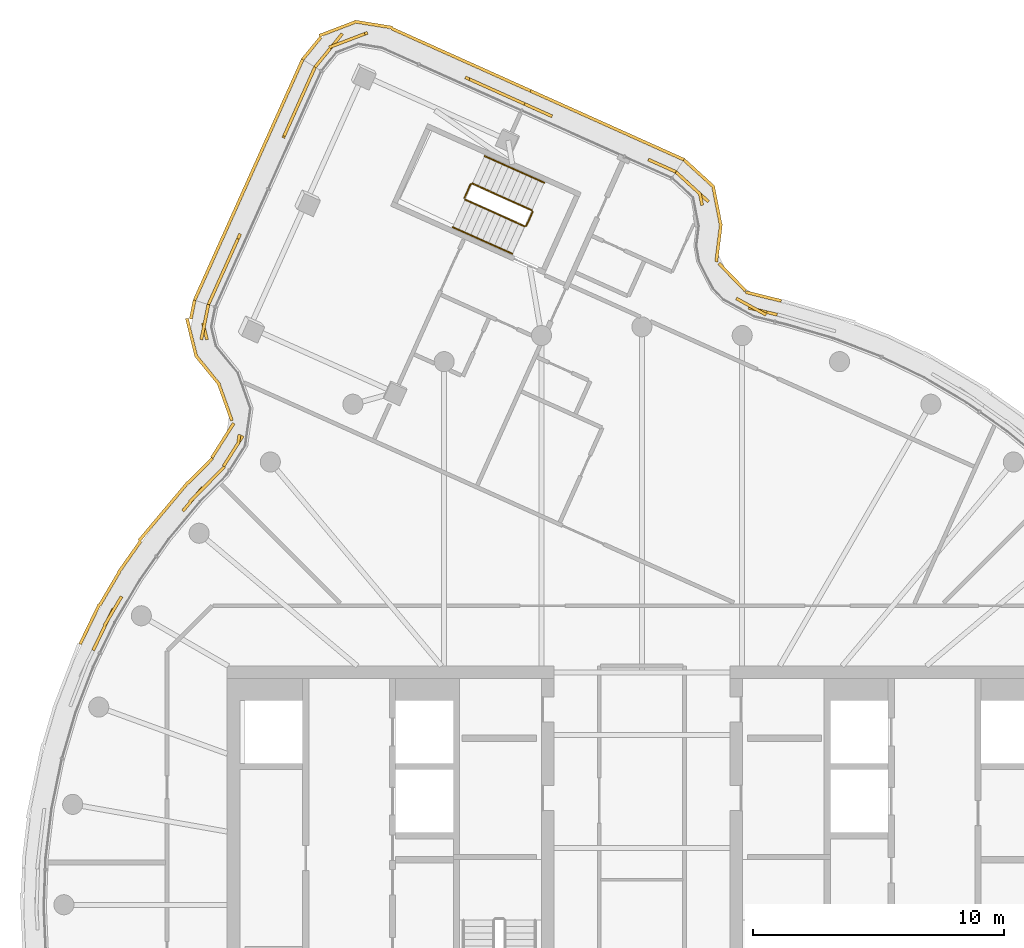
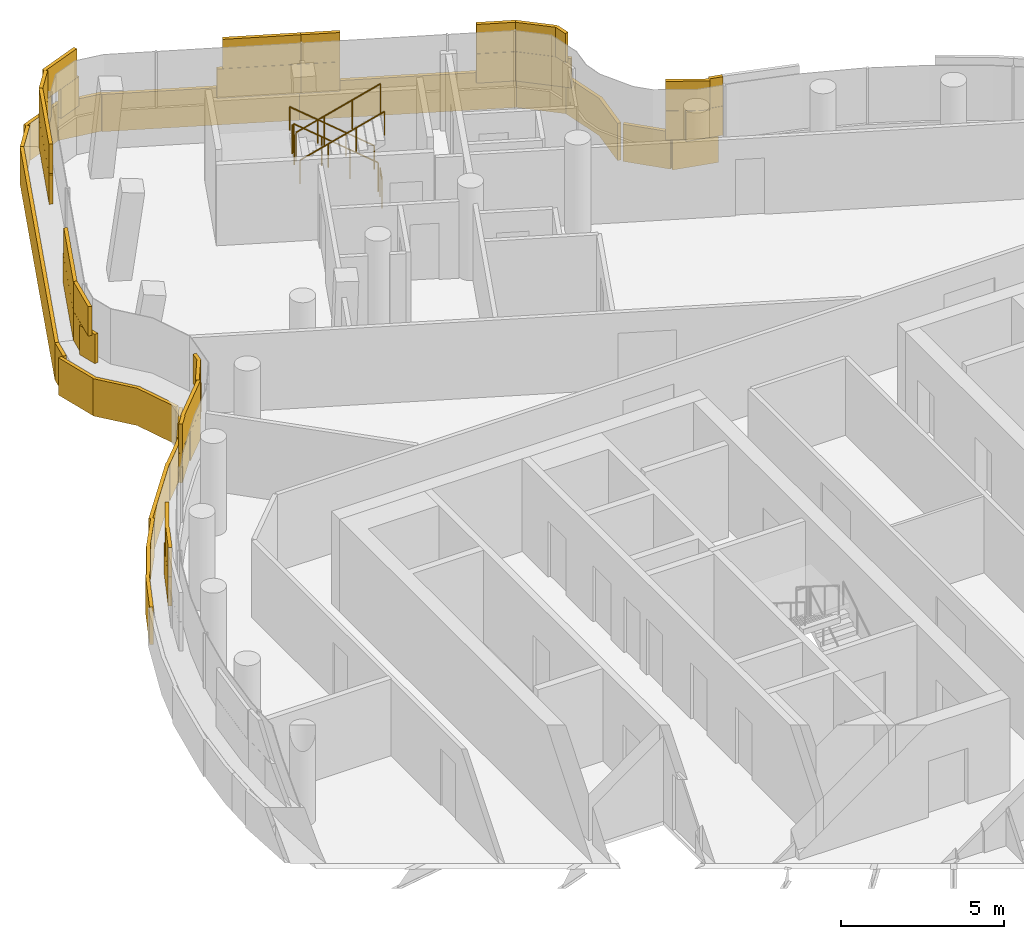
# One storey, part 19 of 21: 6 coverings, 6 railings.
"""IFC4 building model written with IfcOpenShell, lengths in metres."""

from ifc_helpers import new_model, si_unit, direction, frame, origin, origin_2d, place, context, subcontext, project, spatial, rectangle, circle, extrude, material, layer, layer_set, type_object, element, save


model = new_model("IFC4")

# Units and contexts
model_context = context("Model", 3, precision=1e-05, world=origin(), true_north=direction((0.0, 1.0)))
body_context = subcontext(model_context, "Body", "Model", "MODEL_VIEW")
ifc_project = project(units=[si_unit("LENGTHUNIT", "METRE"), si_unit("AREAUNIT", "SQUARE_METRE"), si_unit("VOLUMEUNIT", "CUBIC_METRE"), si_unit("PLANEANGLEUNIT", "RADIAN"), si_unit("MASSUNIT", "GRAM", prefix="KILO")], contexts=[model_context])

# Site, building, storey
site_placement = place(None, origin())
site = spatial("IfcSite", under=ifc_project, at=site_placement, CompositionType="ELEMENT")
building_placement = place(site_placement, origin())
building = spatial("IfcBuilding", under=site, at=building_placement, Name="Tamarind Cross Interchange Tower", CompositionType="ELEMENT")
storey_placement = place(building_placement, frame((0.0, 0.0, 271.199951171875)))
storey = spatial("IfcBuildingStorey", under=building, at=storey_placement, Name="L69", CompositionType="ELEMENT", Elevation=271.199951171875)

# Railings
ifc_material_1 = material(Name="Stair guard")
railing_type_1 = type_object("IfcRailingType", Name="Stair guard", PredefinedType="GUARDRAIL", material=ifc_material_1)
railing_1_placement = place(storey_placement, frame((-4.375244140625, 27.636474609375, 0.16357421875)))
element("IfcRailing", 1, at=railing_1_placement, inside=storey, type_object=railing_type_1, Name="L69 ST4 stair guard 1", PredefinedType="GUARDRAIL", context=body_context, shape_type="SweptSolid", body=[
    extrude(circle(Radius=0.02392578125, at=origin_2d()), frame((0.0, 0.0, 1.076171875), z_axis=(-0.772110731166, 0.346559787836, 0.532673757823), x_axis=(-0.409489927678, -0.912314638231, 0.0)), (0.0, 0.0, 1.0), 3.072265625),
    extrude(circle(Radius=0.02099609375, at=origin_2d()), origin(), (0.0, 0.0, 1.0), 1.052001953125),
    extrude(circle(Radius=0.02099609375, at=origin_2d()), frame((-0.790771484375, 0.35498046875, 0.54541015625)), (0.0, 0.0, 1.0), 1.052001953125),
    extrude(circle(Radius=0.02099609375, at=origin_2d()), frame((-1.581298828125, 0.709716796875, 1.091064453125)), (0.0, 0.0, 1.0), 1.052001953125),
    extrude(circle(Radius=0.02099609375, at=origin_2d()), frame((-2.3720703125, 1.064697265625, 1.636474609375)), (0.0, 0.0, 1.0), 1.052001953125),
])
railing_2_placement = place(storey_placement, frame((-6.813232421875, 28.676025390625, 1.800048828125)))
element("IfcRailing", 2, at=railing_2_placement, inside=storey, type_object=railing_type_1, Name="L69 ST4 stair guard 2", PredefinedType="GUARDRAIL", context=body_context, shape_type="SweptSolid", body=[
    extrude(circle(Radius=0.02392578125, at=origin_2d()), frame((0.0, 0.0, 1.076171875), z_axis=(-0.409721698178, -0.912210573301, 0.0), x_axis=(0.912210573301, -0.409721698178, 0.0)), (0.0, 0.0, 1.0), 0.60009765625),
    extrude(circle(Radius=0.02099609375, at=origin_2d()), origin(), (0.0, 0.0, 1.0), 1.052001953125),
    extrude(circle(Radius=0.02099609375, at=origin_2d()), frame((-0.245849609375, -0.54736328125, 0.0)), (0.0, 0.0, 1.0), 1.052001953125),
])
railing_3_placement = place(storey_placement, frame((-7.033935546875, 28.062744140625, 1.963623046875)))
element("IfcRailing", 3, at=railing_3_placement, inside=storey, type_object=railing_type_1, Name="L69 ST4 stair guard 3", PredefinedType="GUARDRAIL", context=body_context, shape_type="SweptSolid", body=[
    extrude(circle(Radius=0.02392578125, at=origin_2d()), frame((0.0, 0.0, 1.076171875), z_axis=(0.772057367947, -0.346650976736, 0.532691769156), x_axis=(0.409603161831, 0.912263804948, 0.0)), (0.0, 0.0, 1.0), 3.072021484375),
    extrude(circle(Radius=0.02099609375, at=origin_2d()), origin(), (0.0, 0.0, 1.0), 1.052001953125),
    extrude(circle(Radius=0.02099609375, at=origin_2d()), frame((0.79052734375, -0.35498046875, 0.54541015625)), (0.0, 0.0, 1.0), 1.052001953125),
    extrude(circle(Radius=0.02099609375, at=origin_2d()), frame((1.581298828125, -0.7099609375, 1.091064453125)), (0.0, 0.0, 1.0), 1.052001953125),
    extrude(circle(Radius=0.02099609375, at=origin_2d()), frame((2.371826171875, -1.06494140625, 1.636474609375)), (0.0, 0.0, 1.0), 1.052001953125),
])
railing_4_placement = place(storey_placement, frame((-4.35009765625, 27.5703125, 0.0)))
element("IfcRailing", 4, at=railing_4_placement, inside=storey, type_object=railing_type_1, Name="L69 ST4 stair guard 4", PredefinedType="GUARDRAIL", context=body_context, shape_type="SweptSolid", body=[
    extrude(circle(Radius=0.02392578125, at=origin_2d()), frame((0.0, 0.0, 1.076171875), z_axis=(-0.409721698178, -0.912210573301, 0.0), x_axis=(0.912210573301, -0.409721698178, 0.0)), (0.0, 0.0, 1.0), 0.60009765625),
    extrude(circle(Radius=0.02099609375, at=origin_2d()), origin(), (0.0, 0.0, 1.0), 1.052001953125),
    extrude(circle(Radius=0.02099609375, at=origin_2d()), frame((-0.245849609375, -0.54736328125, 0.0)), (0.0, 0.0, 1.0), 1.052001953125),
])
ifc_material_2 = material(Name="Stair handrail")
railing_type_2 = type_object("IfcRailingType", Name="Stair handrail", PredefinedType="HANDRAIL", material=ifc_material_2)
railing_5_placement = place(storey_placement, frame((-3.8837890625, 28.731201171875, 0.16357421875)))
element("IfcRailing", 5, at=railing_5_placement, inside=storey, type_object=railing_type_2, Name="L69 ST4 stair handrail 1", PredefinedType="HANDRAIL", context=body_context, shape_type="SweptSolid", body=[
    extrude(circle(Radius=0.02392578125, at=origin_2d()), frame((0.0, 0.0, 0.8759765625), z_axis=(-0.772110731166, 0.346559787836, 0.532673757823), x_axis=(-0.409489927678, -0.912314638231, 0.0)), (0.0, 0.0, 1.0), 3.072265625),
    extrude(circle(Radius=0.02099609375, at=origin_2d()), origin(), (0.0, 0.0, 1.0), 0.851806640625),
    extrude(circle(Radius=0.02099609375, at=origin_2d()), frame((-0.790771484375, 0.35498046875, 0.54541015625)), (0.0, 0.0, 1.0), 0.851806640625),
    extrude(circle(Radius=0.02099609375, at=origin_2d()), frame((-1.581298828125, 0.709716796875, 1.091064453125)), (0.0, 0.0, 1.0), 0.851806640625),
    extrude(circle(Radius=0.02099609375, at=origin_2d()), frame((-2.3720703125, 1.064697265625, 1.636474609375)), (0.0, 0.0, 1.0), 0.851806640625),
])
railing_6_placement = place(storey_placement, frame((-7.525390625, 26.968017578125, 1.963623046875)))
element("IfcRailing", 6, at=railing_6_placement, inside=storey, type_object=railing_type_2, Name="L69 ST4 stair handrail 2", PredefinedType="HANDRAIL", context=body_context, shape_type="SweptSolid", body=[
    extrude(circle(Radius=0.02392578125, at=origin_2d()), frame((0.0, 0.0, 0.8759765625), z_axis=(0.772057367947, -0.346650976736, 0.532691769156), x_axis=(0.409603161831, 0.912263804948, 0.0)), (0.0, 0.0, 1.0), 3.072021484375),
    extrude(circle(Radius=0.02099609375, at=origin_2d()), origin(), (0.0, 0.0, 1.0), 0.851806640625),
    extrude(circle(Radius=0.02099609375, at=origin_2d()), frame((0.79052734375, -0.35498046875, 0.54541015625)), (0.0, 0.0, 1.0), 0.851806640625),
    extrude(circle(Radius=0.02099609375, at=origin_2d()), frame((1.581298828125, -0.7099609375, 1.091064453125)), (0.0, 0.0, 1.0), 0.851806640625),
    extrude(circle(Radius=0.02099609375, at=origin_2d()), frame((2.371826171875, -1.06494140625, 1.636474609375)), (0.0, 0.0, 1.0), 0.851806640625),
])

# Coverings
ifc_material_3 = material(Name="Terracotta", Category="masonry")
ifc_layer = layer(ifc_material_3, 0.1201171875)
ifc_layer_set = layer_set([ifc_layer], Name="Terracotta")
covering_type = type_object("IfcCoveringType", Name="Terracotta baguette screen unit", PredefinedType="MOLDING", material=ifc_layer_set)
covering_1_placement = place(storey_placement, origin())
element("IfcCovering", 7, at=covering_1_placement, inside=storey, type_object=covering_type, Name="SCR-L69-00-00", PredefinedType="MOLDING", context=body_context, shape_type="SweptSolid", body=[
    extrude(rectangle(XDim=0.760009765625, YDim=0.1201171875, at=origin_2d()), frame((-13.159912109375, 32.99072265625, 1.40380859375), z_axis=(0.0, 0.0, 1.0), x_axis=(-0.409566405741, -0.91228030741, 0.0)), (0.0, 0.0, 1.0), 1.092041015625),
    extrude(rectangle(XDim=1.52001953125, YDim=0.1201171875, at=origin_2d()), frame((-13.62060546875, 31.964599609375, 1.40380859375), z_axis=(0.0, 0.0, 1.0), x_axis=(-0.409566405741, -0.91228030741, 0.0)), (0.0, 0.0, 1.0), 1.092041015625),
    extrude(rectangle(XDim=0.839111328125, YDim=0.1201171875, at=origin_2d()), frame((-14.09765625, 30.902099609375, 1.40380859375), z_axis=(0.0, 0.0, 1.0), x_axis=(-0.409566405741, -0.91228030741, 0.0)), (0.0, 0.0, 1.0), 1.092041015625),
    extrude(rectangle(XDim=0.980712890625, YDim=0.1201171875, at=origin_2d()), frame((-16.1865234375, 26.24951171875, 1.40380859375), z_axis=(0.0, 0.0, 1.0), x_axis=(-0.409566405741, -0.91228030741, 0.0)), (0.0, 0.0, 1.0), 1.092041015625),
    extrude(rectangle(XDim=1.52001953125, YDim=0.1201171875, at=origin_2d()), frame((-16.6923828125, 25.122314453125, 1.40380859375), z_axis=(0.0, 0.0, 1.0), x_axis=(-0.409566405741, -0.91228030741, 0.0)), (0.0, 0.0, 1.0), 1.092041015625),
    extrude(rectangle(XDim=0.618408203125, YDim=0.1201171875, at=origin_2d()), frame((-17.124267578125, 24.16064453125, 1.40380859375), z_axis=(0.0, 0.0, 1.0), x_axis=(-0.409566405741, -0.91228030741, 0.0)), (0.0, 0.0, 1.0), 1.092041015625),
    extrude(rectangle(XDim=1.510009765625, YDim=0.1201171875, at=origin_2d()), frame((-13.3134765625, 32.648681640625, 2.50390625), z_axis=(0.0, 0.0, 1.0), x_axis=(-0.409566405741, -0.91228030741, 0.0)), (0.0, 0.0, 1.0), 1.092041015625),
    extrude(rectangle(XDim=1.52001953125, YDim=0.1201171875, at=origin_2d()), frame((-13.927978515625, 31.2802734375, 2.50390625), z_axis=(0.0, 0.0, 1.0), x_axis=(-0.409566405741, -0.91228030741, 0.0)), (0.0, 0.0, 1.0), 1.092041015625),
    extrude(rectangle(XDim=1.52001953125, YDim=0.1201171875, at=origin_2d()), frame((-16.38525390625, 25.806640625, 2.50390625), z_axis=(0.0, 0.0, 1.0), x_axis=(-0.409566405741, -0.91228030741, 0.0)), (0.0, 0.0, 1.0), 1.092041015625),
    extrude(rectangle(XDim=1.368408203125, YDim=0.1201171875, at=origin_2d()), frame((-16.970703125, 24.5029296875, 2.50390625), z_axis=(0.0, 0.0, 1.0), x_axis=(-0.409566405741, -0.91228030741, 0.0)), (0.0, 0.0, 1.0), 1.092041015625),
    extrude(rectangle(XDim=0.760009765625, YDim=0.1201171875, at=origin_2d()), frame((-13.65478515625, 33.290283203125, 0.00390625), z_axis=(0.0, 0.0, 1.0), x_axis=(-0.409566405741, -0.91228030741, 0.0)), (0.0, 0.0, 1.0), 1.39208984375),
    extrude(rectangle(XDim=1.52001953125, YDim=0.1201171875, at=origin_2d()), frame((-14.11328125, 32.2685546875, 0.00390625), z_axis=(0.0, 0.0, 1.0), x_axis=(-0.409566405741, -0.91228030741, 0.0)), (0.0, 0.0, 1.0), 1.39208984375),
    extrude(rectangle(XDim=1.52001953125, YDim=0.1201171875, at=origin_2d()), frame((-14.727783203125, 30.900146484375, 0.00390625), z_axis=(0.0, 0.0, 1.0), x_axis=(-0.409566405741, -0.91228030741, 0.0)), (0.0, 0.0, 1.0), 1.39208984375),
    extrude(rectangle(XDim=1.52001953125, YDim=0.1201171875, at=origin_2d()), frame((-15.342041015625, 29.53173828125, 0.00390625), z_axis=(0.0, 0.0, 1.0), x_axis=(-0.409566405741, -0.91228030741, 0.0)), (0.0, 0.0, 1.0), 1.39208984375),
    extrude(rectangle(XDim=1.52001953125, YDim=0.1201171875, at=origin_2d()), frame((-15.95654296875, 28.163330078125, 0.00390625), z_axis=(0.0, 0.0, 1.0), x_axis=(-0.409566405741, -0.91228030741, 0.0)), (0.0, 0.0, 1.0), 1.39208984375),
    extrude(rectangle(XDim=1.52001953125, YDim=0.1201171875, at=origin_2d()), frame((-16.57080078125, 26.794921875, 0.00390625), z_axis=(0.0, 0.0, 1.0), x_axis=(-0.409566405741, -0.91228030741, 0.0)), (0.0, 0.0, 1.0), 1.39208984375),
    extrude(rectangle(XDim=1.52001953125, YDim=0.1201171875, at=origin_2d()), frame((-17.18505859375, 25.426513671875, 0.00390625), z_axis=(0.0, 0.0, 1.0), x_axis=(-0.409566405741, -0.91228030741, 0.0)), (0.0, 0.0, 1.0), 1.39208984375),
    extrude(rectangle(XDim=0.7578125, YDim=0.1201171875, at=origin_2d()), frame((-17.643310546875, 24.40576171875, 0.00390625), z_axis=(0.0, 0.0, 1.0), x_axis=(-0.409566405741, -0.91228030741, 0.0)), (0.0, 0.0, 1.0), 1.39208984375),
])
covering_2_placement = place(storey_placement, origin())
element("IfcCovering", 8, at=covering_2_placement, inside=storey, type_object=covering_type, Name="SCR-L69-01-00", PredefinedType="MOLDING", context=body_context, shape_type="SweptSolid", body=[
    extrude(rectangle(XDim=0.760009765625, YDim=0.1201171875, at=origin_2d()), frame((-17.323486328125, 23.515625, 1.40380859375), z_axis=(0.0, 0.0, 1.0), x_axis=(-0.199135329193, -0.97997199994, 0.0)), (0.0, 0.0, 1.0), 1.092041015625),
    extrude(rectangle(XDim=0.6845703125, YDim=0.1201171875, at=origin_2d()), frame((-17.386962890625, 22.8193359375, 1.40380859375), z_axis=(0.0, 0.0, 1.0), x_axis=(0.240160273097, -0.970733250294, 0.0)), (0.0, 0.0, 1.0), 1.092041015625),
    extrude(rectangle(XDim=1.135498046875, YDim=0.1201171875, at=origin_2d()), frame((-16.183349609375, 18.181396484375, 1.40380859375), z_axis=(0.0, 0.0, 1.0), x_axis=(-0.536024064233, -0.844202702296, 0.0)), (0.0, 0.0, 1.0), 1.092041015625),
    extrude(rectangle(XDim=0.30908203125, YDim=0.1201171875, at=origin_2d()), frame((-16.565185546875, 17.580078125, 1.40380859375), z_axis=(0.0, 0.0, 1.0), x_axis=(-0.536024064233, -0.844202702296, 0.0)), (0.0, 0.0, 1.0), 1.092041015625),
    extrude(rectangle(XDim=1.424560546875, YDim=0.1201171875, at=origin_2d()), frame((-17.390625, 23.185302734375, 2.50390625), z_axis=(0.0, 0.0, 1.0), x_axis=(-0.199135329193, -0.97997199994, 0.0)), (0.0, 0.0, 1.0), 1.092041015625),
    extrude(rectangle(XDim=0.385498046875, YDim=0.1201171875, at=origin_2d()), frame((-16.04150390625, 18.519775390625, 2.50390625), z_axis=(0.0, 0.0, 1.0), x_axis=(-0.139624856595, -0.990204473541, 0.0)), (0.0, 0.0, 1.0), 1.092041015625),
    extrude(rectangle(XDim=1.05908203125, YDim=0.1201171875, at=origin_2d()), frame((-16.3642578125, 17.896728515625, 2.50390625), z_axis=(0.0, 0.0, 1.0), x_axis=(-0.536024064233, -0.844202702296, 0.0)), (0.0, 0.0, 1.0), 1.092041015625),
    extrude(rectangle(XDim=0.760009765625, YDim=0.1201171875, at=origin_2d()), frame((-17.874267578125, 23.687744140625, 0.00390625), z_axis=(0.0, 0.0, 1.0), x_axis=(-0.199135329193, -0.97997199994, 0.0)), (0.0, 0.0, 1.0), 1.39208984375),
    extrude(rectangle(XDim=1.52001953125, YDim=0.1201171875, at=origin_2d()), frame((-17.922607421875, 22.59375, 0.00390625), z_axis=(0.0, 0.0, 1.0), x_axis=(0.240160273097, -0.970733250294, 0.0)), (0.0, 0.0, 1.0), 1.39208984375),
    extrude(rectangle(XDim=1.52001953125, YDim=0.1201171875, at=origin_2d()), frame((-17.2802734375, 21.278564453125, 0.00390625), z_axis=(0.0, 0.0, 1.0), x_axis=(0.631568032901, -0.775320462659, 0.0)), (0.0, 0.0, 1.0), 1.39208984375),
    extrude(rectangle(XDim=1.52001953125, YDim=0.1201171875, at=origin_2d()), frame((-16.570068359375, 19.981689453125, 0.00390625), z_axis=(0.0, 0.0, 1.0), x_axis=(0.336757746414, -0.941591323362, 0.0)), (0.0, 0.0, 1.0), 1.39208984375),
    extrude(rectangle(XDim=1.52001953125, YDim=0.1201171875, at=origin_2d()), frame((-16.647216796875, 18.521728515625, 0.00390625), z_axis=(0.0, 0.0, 1.0), x_axis=(-0.536024064233, -0.844202702296, 0.0)), (0.0, 0.0, 1.0), 1.39208984375),
    extrude(rectangle(XDim=0.126953125, YDim=0.1201171875, at=origin_2d()), frame((-17.077880859375, 17.843505859375, 0.00390625), z_axis=(0.0, 0.0, 1.0), x_axis=(-0.536024064233, -0.844202702296, 0.0)), (0.0, 0.0, 1.0), 1.39208984375),
])
covering_3_placement = place(storey_placement, origin())
element("IfcCovering", 9, at=covering_3_placement, inside=storey, type_object=covering_type, Name="SCR-L69-01-01", PredefinedType="MOLDING", context=body_context, shape_type="SweptSolid", body=[
    extrude(rectangle(XDim=1.2109375, YDim=0.1201171875, at=origin_2d()), frame((-17.03515625, 17.0009765625, 1.40380859375), z_axis=(0.0, 0.0, 1.0), x_axis=(-0.703036494784, -0.711153771699, 0.0)), (0.0, 0.0, 1.0), 1.092041015625),
    extrude(rectangle(XDim=1.221435546875, YDim=0.1201171875, at=origin_2d()), frame((-17.875244140625, 16.135986328125, 1.40380859375), z_axis=(0.0, 0.0, 1.0), x_axis=(-0.643009266048, -0.765858396687, 0.0)), (0.0, 0.0, 1.0), 1.092041015625),
    extrude(rectangle(XDim=0.5986328125, YDim=0.1201171875, at=origin_2d()), frame((-20.855712890625, 12.010498046875, 1.40380859375), z_axis=(0.0, 0.0, 1.0), x_axis=(-0.508183308752, -0.861248933065, 0.0)), (0.0, 0.0, 1.0), 1.092041015625),
    extrude(rectangle(XDim=1.52001953125, YDim=0.1201171875, at=origin_2d()), frame((-21.3642578125, 11.09912109375, 1.40380859375), z_axis=(0.0, 0.0, 1.0), x_axis=(-0.435326231914, -0.900272776334, 0.0)), (0.0, 0.0, 1.0), 1.092041015625),
    extrude(rectangle(XDim=0.333740234375, YDim=0.1201171875, at=origin_2d()), frame((-21.76123046875, 10.2783203125, 1.40380859375), z_axis=(0.0, 0.0, 1.0), x_axis=(-0.435326231914, -0.900272776334, 0.0)), (0.0, 0.0, 1.0), 1.092041015625),
    extrude(rectangle(XDim=0.4609375, YDim=0.1201171875, at=origin_2d()), frame((-16.771484375, 17.267578125, 2.50390625), z_axis=(0.0, 0.0, 1.0), x_axis=(-0.703036494784, -0.711153771699, 0.0)), (0.0, 0.0, 1.0), 1.092041015625),
    extrude(rectangle(XDim=1.52001953125, YDim=0.1201171875, at=origin_2d()), frame((-17.457275390625, 16.573974609375, 2.50390625), z_axis=(0.0, 0.0, 1.0), x_axis=(-0.703036494784, -0.711153771699, 0.0)), (0.0, 0.0, 1.0), 1.092041015625),
    extrude(rectangle(XDim=0.471435546875, YDim=0.1201171875, at=origin_2d()), frame((-18.1162109375, 15.848876953125, 2.50390625), z_axis=(0.0, 0.0, 1.0), x_axis=(-0.643009266048, -0.765858396687, 0.0)), (0.0, 0.0, 1.0), 1.092041015625),
    extrude(rectangle(XDim=1.3486328125, YDim=0.1201171875, at=origin_2d()), frame((-21.04638671875, 11.6875, 2.50390625), z_axis=(0.0, 0.0, 1.0), x_axis=(-0.508183308752, -0.861248933065, 0.0)), (0.0, 0.0, 1.0), 1.092041015625),
    extrude(rectangle(XDim=1.083740234375, YDim=0.1201171875, at=origin_2d()), frame((-21.597900390625, 10.615966796875, 2.50390625), z_axis=(0.0, 0.0, 1.0), x_axis=(-0.435326231914, -0.900272776334, 0.0)), (0.0, 0.0, 1.0), 1.092041015625),
    extrude(rectangle(XDim=1.39306640625, YDim=0.1201171875, at=origin_2d()), frame((-17.573974609375, 17.2724609375, 0.00390625), z_axis=(0.0, 0.0, 1.0), x_axis=(-0.703036494784, -0.711153771699, 0.0)), (0.0, 0.0, 1.0), 1.39208984375),
    extrude(rectangle(XDim=1.52001953125, YDim=0.1201171875, at=origin_2d()), frame((-18.55224609375, 16.22216796875, 0.00390625), z_axis=(0.0, 0.0, 1.0), x_axis=(-0.643009266048, -0.765858396687, 0.0)), (0.0, 0.0, 1.0), 1.39208984375),
    extrude(rectangle(XDim=1.52001953125, YDim=0.1201171875, at=origin_2d()), frame((-19.516845703125, 15.0732421875, 0.00390625), z_axis=(0.0, 0.0, 1.0), x_axis=(-0.643009266048, -0.765858396687, 0.0)), (0.0, 0.0, 1.0), 1.39208984375),
    extrude(rectangle(XDim=1.52001953125, YDim=0.1201171875, at=origin_2d()), frame((-20.384033203125, 13.849609375, 0.00390625), z_axis=(0.0, 0.0, 1.0), x_axis=(-0.577568978284, -0.816341886298, 0.0)), (0.0, 0.0, 1.0), 1.39208984375),
    extrude(rectangle(XDim=1.52001953125, YDim=0.1201171875, at=origin_2d()), frame((-21.1845703125, 12.58251953125, 0.00390625), z_axis=(0.0, 0.0, 1.0), x_axis=(-0.508183308752, -0.861248933065, 0.0)), (0.0, 0.0, 1.0), 1.39208984375),
    extrude(rectangle(XDim=1.52001953125, YDim=0.1201171875, at=origin_2d()), frame((-21.9169921875, 11.274658203125, 0.00390625), z_axis=(0.0, 0.0, 1.0), x_axis=(-0.435326231914, -0.900272776334, 0.0)), (0.0, 0.0, 1.0), 1.39208984375),
    extrude(rectangle(XDim=0.260009765625, YDim=0.1201171875, at=origin_2d()), frame((-22.2958984375, 10.4912109375, 0.00390625), z_axis=(0.0, 0.0, 1.0), x_axis=(-0.435326231914, -0.900272776334, 0.0)), (0.0, 0.0, 1.0), 1.39208984375),
])
covering_4_placement = place(storey_placement, origin())
element("IfcCovering", 10, at=covering_4_placement, inside=storey, type_object=covering_type, Name="SCR-L69-01-15", PredefinedType="MOLDING", context=body_context, shape_type="SweptSolid", body=[
    extrude(rectangle(XDim=1.17431640625, YDim=0.1201171875, at=origin_2d()), frame((4.81298828125, 23.619384765625, 1.40380859375), z_axis=(0.0, 0.0, 1.0), x_axis=(-0.971160307945, 0.238427465434, 0.0)), (0.0, 0.0, 1.0), 1.092041015625),
    extrude(rectangle(XDim=0.602783203125, YDim=0.1201171875, at=origin_2d()), frame((4.0205078125, 23.984375, 1.40380859375), z_axis=(0.0, 0.0, 1.0), x_axis=(-0.875481218636, 0.483252145174, 0.0)), (0.0, 0.0, 1.0), 1.092041015625),
    extrude(rectangle(XDim=1.21728515625, YDim=0.1201171875, at=origin_2d()), frame((2.205078125, 28.38623046875, 1.40380859375), z_axis=(0.0, 0.0, 1.0), x_axis=(-0.738295016355, 0.674477923157, 0.0)), (0.0, 0.0, 1.0), 1.092041015625),
    extrude(rectangle(XDim=0.559814453125, YDim=0.1201171875, at=origin_2d()), frame((1.556396484375, 28.978759765625, 1.40380859375), z_axis=(0.0, 0.0, 1.0), x_axis=(-0.738295016355, 0.674477923157, 0.0)), (0.0, 0.0, 1.0), 1.092041015625),
    extrude(rectangle(XDim=0.42431640625, YDim=0.1201171875, at=origin_2d()), frame((5.17724609375, 23.530029296875, 2.50390625), z_axis=(0.0, 0.0, 1.0), x_axis=(-0.971160307945, 0.238427465434, 0.0)), (0.0, 0.0, 1.0), 1.092041015625),
    extrude(rectangle(XDim=1.352783203125, YDim=0.1201171875, at=origin_2d()), frame((4.348876953125, 23.80322265625, 2.50390625), z_axis=(0.0, 0.0, 1.0), x_axis=(-0.875481218636, 0.483252145174, 0.0)), (0.0, 0.0, 1.0), 1.092041015625),
    extrude(rectangle(XDim=0.46728515625, YDim=0.1201171875, at=origin_2d()), frame((2.35498046875, 28.061767578125, 2.50390625), z_axis=(0.0, 0.0, 1.0), x_axis=(-0.192767504548, 0.981244459444, 0.0)), (0.0, 0.0, 1.0), 1.092041015625),
    extrude(rectangle(XDim=1.309814453125, YDim=0.1201171875, at=origin_2d()), frame((1.833251953125, 28.725830078125, 2.50390625), z_axis=(0.0, 0.0, 1.0), x_axis=(-0.738295016355, 0.674477923157, 0.0)), (0.0, 0.0, 1.0), 1.092041015625),
    extrude(rectangle(XDim=1.465087890625, YDim=0.1201171875, at=origin_2d()), frame((4.837890625, 24.204345703125, 0.00390625), z_axis=(0.0, 0.0, 1.0), x_axis=(-0.971160307945, 0.238427465434, 0.0)), (0.0, 0.0, 1.0), 1.39208984375),
    extrude(rectangle(XDim=1.52001953125, YDim=0.1201171875, at=origin_2d()), frame((3.59716796875, 24.973388671875, 0.00390625), z_axis=(0.0, 0.0, 1.0), x_axis=(-0.695236461848, 0.718781094713, 0.0)), (0.0, 0.0, 1.0), 1.39208984375),
    extrude(rectangle(XDim=1.52001953125, YDim=0.1201171875, at=origin_2d()), frame((3.0537109375, 26.340576171875, 0.00390625), z_axis=(0.0, 0.0, 1.0), x_axis=(0.123977026696, 0.992285088496, 0.0)), (0.0, 0.0, 1.0), 1.39208984375),
    extrude(rectangle(XDim=1.52001953125, YDim=0.1201171875, at=origin_2d()), frame((2.987548828125, 27.8203125, 0.00390625), z_axis=(0.0, 0.0, 1.0), x_axis=(-0.192767504548, 0.981244459444, 0.0)), (0.0, 0.0, 1.0), 1.39208984375),
    extrude(rectangle(XDim=1.52001953125, YDim=0.1201171875, at=origin_2d()), frame((2.305908203125, 29.071533203125, 0.00390625), z_axis=(0.0, 0.0, 1.0), x_axis=(-0.738295016355, 0.674477923157, 0.0)), (0.0, 0.0, 1.0), 1.39208984375),
    extrude(rectangle(XDim=0.11767578125, YDim=0.1201171875, at=origin_2d()), frame((1.716064453125, 29.6103515625, 0.00390625), z_axis=(0.0, 0.0, 1.0), x_axis=(-0.738295016355, 0.674477923157, 0.0)), (0.0, 0.0, 1.0), 1.39208984375),
])
covering_5_placement = place(storey_placement, origin())
element("IfcCovering", 11, at=covering_5_placement, inside=storey, type_object=covering_type, Name="SCR-L69-02-00", PredefinedType="MOLDING", context=body_context, shape_type="SweptSolid", body=[
    extrude(rectangle(XDim=0.760009765625, YDim=0.1201171875, at=origin_2d()), frame((1.011474609375, 29.317626953125, 1.40380859375), z_axis=(0.0, 0.0, 1.0), x_axis=(-0.91228030741, 0.409566405741, 0.0)), (0.0, 0.0, 1.0), 1.092041015625),
    extrude(rectangle(XDim=0.4599609375, YDim=0.1201171875, at=origin_2d()), frame((0.464111328125, 29.5634765625, 1.40380859375), z_axis=(0.0, 0.0, 1.0), x_axis=(-0.91228030741, 0.409566405741, 0.0)), (0.0, 0.0, 1.0), 1.092041015625),
    extrude(rectangle(XDim=1.199951171875, YDim=0.1201171875, at=origin_2d()), frame((-4.1201171875, 31.621337890625, 1.40380859375), z_axis=(0.0, 0.0, 1.0), x_axis=(-0.91228030741, 0.409566405741, 0.0)), (0.0, 0.0, 1.0), 1.092041015625),
    extrude(rectangle(XDim=1.199951171875, YDim=0.1201171875, at=origin_2d()), frame((0.80615234375, 29.409912109375, 2.50390625), z_axis=(0.0, 0.0, 1.0), x_axis=(-0.91228030741, 0.409566405741, 0.0)), (0.0, 0.0, 1.0), 1.092041015625),
    extrude(rectangle(XDim=0.610107421875, YDim=0.1201171875, at=origin_2d()), frame((-3.846435546875, 31.49853515625, 2.50390625), z_axis=(0.0, 0.0, 1.0), x_axis=(-0.91228030741, 0.409566405741, 0.0)), (0.0, 0.0, 1.0), 1.092041015625),
    extrude(rectangle(XDim=0.60986328125, YDim=0.1201171875, at=origin_2d()), frame((-4.393798828125, 31.744384765625, 2.50390625), z_axis=(0.0, 0.0, 1.0), x_axis=(-0.91228030741, 0.409566405741, 0.0)), (0.0, 0.0, 1.0), 1.092041015625),
    extrude(rectangle(XDim=0.760009765625, YDim=0.1201171875, at=origin_2d()), frame((1.325927734375, 29.8056640625, 0.00390625), z_axis=(0.0, 0.0, 1.0), x_axis=(-0.91228030741, 0.409566405741, 0.0)), (0.0, 0.0, 1.0), 1.39208984375),
    extrude(rectangle(XDim=1.52001953125, YDim=0.1201171875, at=origin_2d()), frame((0.30419921875, 30.264404296875, 0.00390625), z_axis=(0.0, 0.0, 1.0), x_axis=(-0.91228030741, 0.409566405741, 0.0)), (0.0, 0.0, 1.0), 1.39208984375),
    extrude(rectangle(XDim=1.52001953125, YDim=0.1201171875, at=origin_2d()), frame((-1.064208984375, 30.878662109375, 0.00390625), z_axis=(0.0, 0.0, 1.0), x_axis=(-0.91228030741, 0.409566405741, 0.0)), (0.0, 0.0, 1.0), 1.39208984375),
    extrude(rectangle(XDim=1.52001953125, YDim=0.1201171875, at=origin_2d()), frame((-2.4326171875, 31.4931640625, 0.00390625), z_axis=(0.0, 0.0, 1.0), x_axis=(-0.91228030741, 0.409566405741, 0.0)), (0.0, 0.0, 1.0), 1.39208984375),
    extrude(rectangle(XDim=1.44677734375, YDim=0.1201171875, at=origin_2d()), frame((-3.767578125, 32.092529296875, 0.00390625), z_axis=(0.0, 0.0, 1.0), x_axis=(-0.91228030741, 0.409566405741, 0.0)), (0.0, 0.0, 1.0), 1.39208984375),
])
covering_6_placement = place(storey_placement, origin())
element("IfcCovering", 12, at=covering_6_placement, inside=storey, type_object=covering_type, Name="SCR-L69-02-01", PredefinedType="MOLDING", context=body_context, shape_type="SweptSolid", body=[
    extrude(rectangle(XDim=0.16015625, YDim=0.1201171875, at=origin_2d()), frame((-4.73583984375, 31.89794921875, 1.40380859375), z_axis=(0.0, 0.0, 1.0), x_axis=(-0.91228030741, 0.409566405741, 0.0)), (0.0, 0.0, 1.0), 1.092041015625),
    extrude(rectangle(XDim=1.52001953125, YDim=0.1201171875, at=origin_2d()), frame((-5.488525390625, 32.23583984375, 1.40380859375), z_axis=(0.0, 0.0, 1.0), x_axis=(-0.91228030741, 0.409566405741, 0.0)), (0.0, 0.0, 1.0), 1.092041015625),
    extrude(rectangle(XDim=0.937744140625, YDim=0.1201171875, at=origin_2d()), frame((-6.595947265625, 32.73291015625, 1.40380859375), z_axis=(0.0, 0.0, 1.0), x_axis=(-0.91228030741, 0.409566405741, 0.0)), (0.0, 0.0, 1.0), 1.092041015625),
    extrude(rectangle(XDim=0.88232421875, YDim=0.1201171875, at=origin_2d()), frame((-11.3291015625, 34.5439453125, 1.40380859375), z_axis=(0.0, 0.0, 1.0), x_axis=(-0.934686774558, -0.355472408867, 0.0)), (0.0, 0.0, 1.0), 1.092041015625),
    extrude(rectangle(XDim=1.52001953125, YDim=0.1201171875, at=origin_2d()), frame((-12.40283203125, 34.073486328125, 1.40380859375), z_axis=(0.0, 0.0, 1.0), x_axis=(-0.631726286916, -0.775191523702, 0.0)), (0.0, 0.0, 1.0), 1.092041015625),
    extrude(rectangle(XDim=0.21533203125, YDim=0.1201171875, at=origin_2d()), frame((-12.94140625, 33.41259765625, 1.40380859375), z_axis=(0.0, 0.0, 1.0), x_axis=(-0.631726286916, -0.775191523702, 0.0)), (0.0, 0.0, 1.0), 1.092041015625),
    extrude(rectangle(XDim=0.91015625, YDim=0.1201171875, at=origin_2d()), frame((-5.078125, 32.051513671875, 2.50390625), z_axis=(0.0, 0.0, 1.0), x_axis=(-0.91228030741, 0.409566405741, 0.0)), (0.0, 0.0, 1.0), 1.092041015625),
    extrude(rectangle(XDim=1.52001953125, YDim=0.1201171875, at=origin_2d()), frame((-6.1728515625, 32.54296875, 2.50390625), z_axis=(0.0, 0.0, 1.0), x_axis=(-0.91228030741, 0.409566405741, 0.0)), (0.0, 0.0, 1.0), 1.092041015625),
    extrude(rectangle(XDim=1.52001953125, YDim=0.1201171875, at=origin_2d()), frame((-11.73681640625, 34.388671875, 2.50390625), z_axis=(0.0, 0.0, 1.0), x_axis=(-0.934686774558, -0.355472408867, 0.0)), (0.0, 0.0, 1.0), 1.092041015625),
    extrude(rectangle(XDim=0.96533203125, YDim=0.1201171875, at=origin_2d()), frame((-12.70458984375, 33.703369140625, 2.50390625), z_axis=(0.0, 0.0, 1.0), x_axis=(-0.631726286916, -0.775191523702, 0.0)), (0.0, 0.0, 1.0), 1.092041015625),
    extrude(rectangle(XDim=0.0732421875, YDim=0.1201171875, at=origin_2d()), frame((-4.4609375, 32.40380859375, 0.00390625), z_axis=(0.0, 0.0, 1.0), x_axis=(-0.91228030741, 0.409566405741, 0.0)), (0.0, 0.0, 1.0), 1.39208984375),
    extrude(rectangle(XDim=1.52001953125, YDim=0.1201171875, at=origin_2d()), frame((-5.16943359375, 32.7216796875, 0.00390625), z_axis=(0.0, 0.0, 1.0), x_axis=(-0.91228030741, 0.409566405741, 0.0)), (0.0, 0.0, 1.0), 1.39208984375),
    extrude(rectangle(XDim=1.52001953125, YDim=0.1201171875, at=origin_2d()), frame((-6.537841796875, 33.336181640625, 0.00390625), z_axis=(0.0, 0.0, 1.0), x_axis=(-0.91228030741, 0.409566405741, 0.0)), (0.0, 0.0, 1.0), 1.39208984375),
    extrude(rectangle(XDim=1.52001953125, YDim=0.1201171875, at=origin_2d()), frame((-7.90625, 33.950439453125, 0.00390625), z_axis=(0.0, 0.0, 1.0), x_axis=(-0.91228030741, 0.409566405741, 0.0)), (0.0, 0.0, 1.0), 1.39208984375),
    extrude(rectangle(XDim=1.52001953125, YDim=0.1201171875, at=origin_2d()), frame((-9.274658203125, 34.564697265625, 0.00390625), z_axis=(0.0, 0.0, 1.0), x_axis=(-0.91228030741, 0.409566405741, 0.0)), (0.0, 0.0, 1.0), 1.39208984375),
    extrude(rectangle(XDim=1.52001953125, YDim=0.1201171875, at=origin_2d()), frame((-10.688232421875, 35.0283203125, 0.00390625), z_axis=(0.0, 0.0, 1.0), x_axis=(-0.987198695782, 0.159495250856, 0.0)), (0.0, 0.0, 1.0), 1.39208984375),
    extrude(rectangle(XDim=1.52001953125, YDim=0.1201171875, at=origin_2d()), frame((-12.126953125, 34.8544921875, 0.00390625), z_axis=(0.0, 0.0, 1.0), x_axis=(-0.934686774558, -0.355472408867, 0.0)), (0.0, 0.0, 1.0), 1.39208984375),
    extrude(rectangle(XDim=1.1494140625, YDim=0.1201171875, at=origin_2d()), frame((-13.135986328125, 34.08251953125, 0.00390625), z_axis=(0.0, 0.0, 1.0), x_axis=(-0.631726286916, -0.775191523702, 0.0)), (0.0, 0.0, 1.0), 1.39208984375),
])

save(model, "model.ifc")
